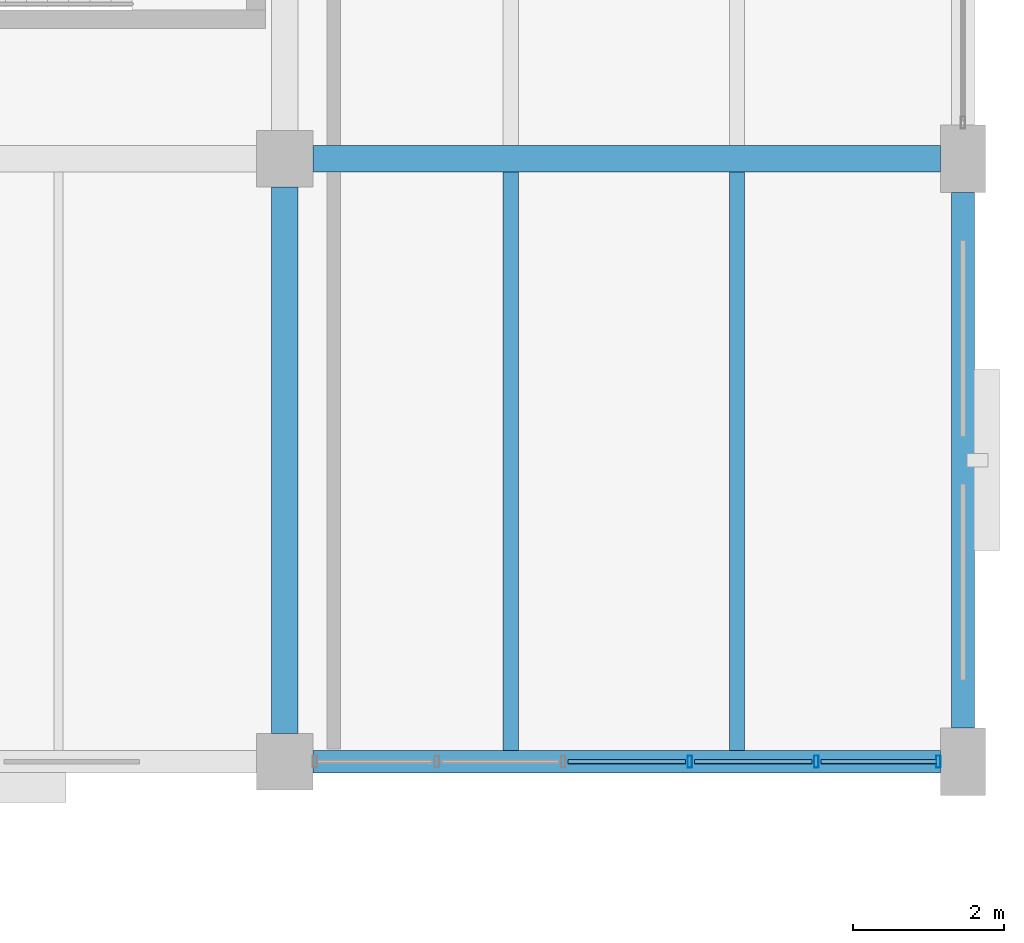
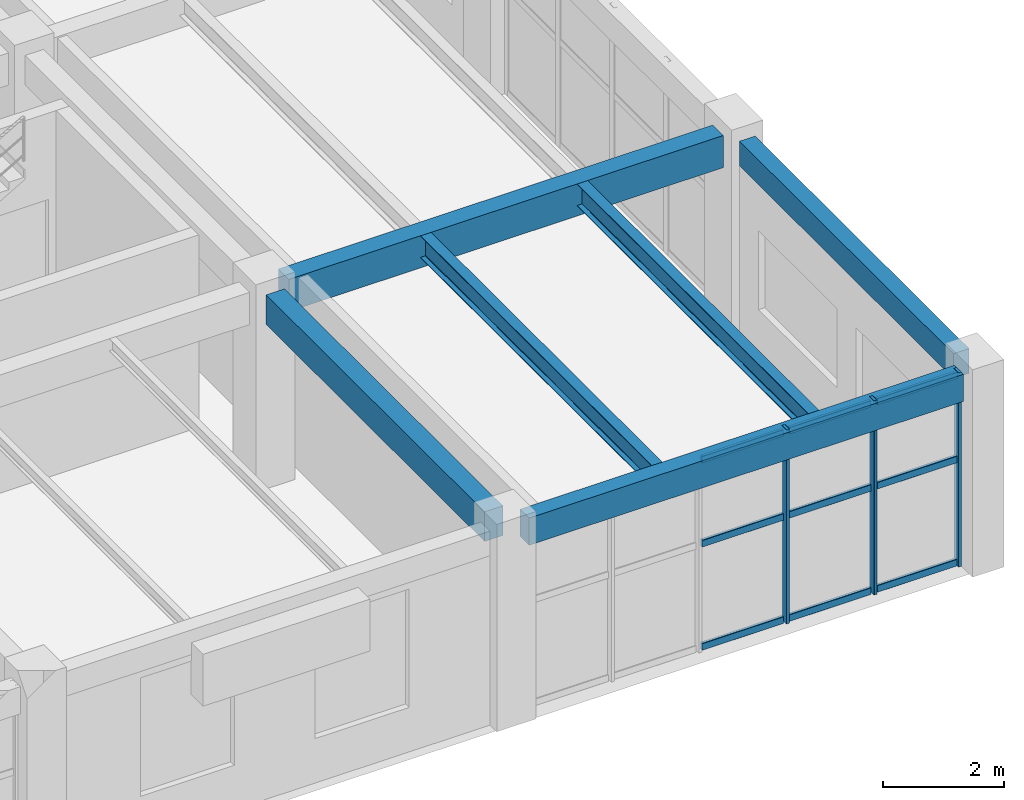
# One storey, part 74 of 128: 12 members, 6 beams, 1 element without a shape of its own.
"""IFC4 building model written with IfcOpenShell, lengths in metres."""

import ifcopenshell
import ifcopenshell.guid

model = None  # the IFC model being written
_history = None  # IfcOwnerHistory: only IFC2X3 demands one
_inside = {}  # id of a spatial element -> (the spatial element, [elements in it])
_under = {}  # id of a project, library or spatial element -> (it, [spatial elements below it])
_declared = {}  # id of a project -> (the project, [libraries it declares])
_typed = {}  # id of a type object -> (the type object, [elements of that type])
_made_of = {}  # id of a material, layer set ... -> (it, [elements and type objects made of it])


def new_model(schema):
    """Start an empty IFC model of exactly this schema.

    Asked for "IFC4X3", IfcOpenShell would pick the latest addendum, in which some entities
    have other attributes; the version numbers below select the first issue.
    IFC2X3 requires an IfcOwnerHistory on every rooted entity: one is made here for all.
    """
    global model, _history
    if schema == "IFC4X3":
        model = ifcopenshell.file(schema_version=(4, 3, 0, 0))
    else:
        model = ifcopenshell.file(schema=schema)
    _inside.clear()
    _under.clear()
    _declared.clear()
    _typed.clear()
    _made_of.clear()
    _history = None
    if model.schema == "IFC2X3":
        org = make("IfcOrganization", Name="unknown")
        user = make(
            "IfcPersonAndOrganization",
            ThePerson=make("IfcPerson", FamilyName="unknown"),
            TheOrganization=org,
        )
        app = make(
            "IfcApplication",
            ApplicationDeveloper=org,
            Version="unknown",
            ApplicationFullName="unknown",
            ApplicationIdentifier="unknown",
        )
        _history = make(
            "IfcOwnerHistory",
            OwningUser=user,
            OwningApplication=app,
            ChangeAction="ADDED",
            CreationDate=0,
        )
    return model


def make(cls, **values):
    """One entity of the class cls with the attributes given. An attribute that is None is left unset."""
    return model.create_entity(
        cls, **{name: value for name, value in values.items() if value is not None}
    )


def rooted(cls, **values):
    """An entity with a GlobalId (a new one), such as an element, a storey or a relation."""
    return make(cls, GlobalId=ifcopenshell.guid.new(), OwnerHistory=_history, **values)


def si_unit(unit_type, name, prefix=None):
    """IfcSIUnit, for example si_unit("LENGTHUNIT", "METRE", prefix="MILLI")."""
    return make("IfcSIUnit", UnitType=unit_type, Prefix=prefix, Name=name)


def derived_unit(unit_type, elements):
    """IfcDerivedUnit: a product of units, each with its exponent."""
    return make(
        "IfcDerivedUnit",
        Elements=[
            make("IfcDerivedUnitElement", Unit=unit, Exponent=power)
            for unit, power in elements
        ],
        UnitType=unit_type,
    )


def assignment(units):
    """IfcUnitAssignment: the units of a project."""
    return None if units is None else make("IfcUnitAssignment", Units=units)


def point(xyz):
    """IfcCartesianPoint."""
    return None if xyz is None else make("IfcCartesianPoint", Coordinates=xyz)


def direction(xyz):
    """IfcDirection."""
    return None if xyz is None else make("IfcDirection", DirectionRatios=xyz)


def frame(location, z_axis=None, x_axis=None):
    """IfcAxis2Placement3D, a coordinate frame: its origin and axes. An axis left out is left unset."""
    return make(
        "IfcAxis2Placement3D",
        Location=point(location),
        Axis=direction(z_axis),
        RefDirection=direction(x_axis),
    )


def frame_2d(location, x_axis=None):
    """IfcAxis2Placement2D, a coordinate frame in the plane: its origin and x axis."""
    return make(
        "IfcAxis2Placement2D", Location=point(location), RefDirection=direction(x_axis)
    )


def origin():
    """The frame at (0, 0, 0) with its axes left unset."""
    return frame((0.0, 0.0, 0.0))


def origin_2d():
    """The frame at (0, 0) in the plane with its x axis left unset."""
    return frame_2d((0.0, 0.0))


def place(relative_to, where):
    """IfcLocalPlacement: puts the frame where relative to a parent placement (None: the world)."""
    return make(
        "IfcLocalPlacement", PlacementRelTo=relative_to, RelativePlacement=where
    )


def context(
    kind, dimensions, precision=None, world=None, true_north=None, identifier=None
):
    """IfcGeometricRepresentationContext, for example the 3D "Model" context."""
    return make(
        "IfcGeometricRepresentationContext",
        ContextIdentifier=identifier,
        ContextType=kind,
        CoordinateSpaceDimension=dimensions,
        Precision=precision,
        WorldCoordinateSystem=world,
        TrueNorth=true_north,
    )


def subcontext(parent, identifier, kind, view, scale=None):
    """IfcGeometricRepresentationSubContext, for example "Body" below "Model"."""
    return make(
        "IfcGeometricRepresentationSubContext",
        ContextIdentifier=identifier,
        ContextType=kind,
        ParentContext=parent,
        TargetScale=scale,
        TargetView=view,
    )


def project(units=None, contexts=None):
    """IfcProject with its units and contexts."""
    return rooted(
        "IfcProject",
        Name="project",
        RepresentationContexts=contexts,
        UnitsInContext=assignment(units),
    )


def spatial(cls, under=None, at=None, **own):
    """A site, building, storey or space (cls), placed at a placement, below another one or the project."""
    s = rooted(cls, ObjectPlacement=at, **own)
    if under is not None:
        _under.setdefault(under.id(), (under, []))[1].append(s)
    return s


def profile(cls, at=None, kind="AREA", **sizes):
    """A parametric profile (cls). Its sizes go by their IFC names, for example OverallWidth=200.0."""
    return make(cls, ProfileType=kind, Position=at, **sizes)


def rectangle(**sizes):
    """IfcRectangleProfileDef."""
    return profile("IfcRectangleProfileDef", **sizes)


def hollow_rectangle(**sizes):
    """IfcRectangleHollowProfileDef."""
    return profile("IfcRectangleHollowProfileDef", **sizes)


def i_section(**sizes):
    """IfcIShapeProfileDef."""
    return profile("IfcIShapeProfileDef", **sizes)


def extrude(swept, where, along, depth):
    """IfcExtrudedAreaSolid: the profile swept, set in the frame where, extruded along a direction by depth."""
    return make(
        "IfcExtrudedAreaSolid",
        SweptArea=swept,
        Position=where,
        ExtrudedDirection=direction(along),
        Depth=depth,
    )


def shape(context_of_items, identifier, shape_type, items):
    """IfcShapeRepresentation: the items that make up one representation, for example the "Body"."""
    return make(
        "IfcShapeRepresentation",
        ContextOfItems=context_of_items,
        RepresentationIdentifier=identifier,
        RepresentationType=shape_type,
        Items=items,
    )


def material(Name=None, Category=None):
    """IfcMaterial."""
    return make("IfcMaterial", Name=Name, Category=Category)


def material_profile(
    of_material, cross_section, Name=None, Category=None, Priority=None
):
    """IfcMaterialProfile: a cross section and its material."""
    return make(
        "IfcMaterialProfile",
        Name=Name,
        Material=of_material,
        Profile=cross_section,
        Priority=Priority,
        Category=Category,
    )


def profile_set(profiles, Name=None, composite=None):
    """IfcMaterialProfileSet."""
    return make(
        "IfcMaterialProfileSet",
        Name=Name,
        MaterialProfiles=profiles,
        CompositeProfile=composite,
    )


def made_of(thing, what):
    """Note that an element or type object is made of a material, layer set ...; save() writes the relation."""
    if what is not None:
        _made_of.setdefault(what.id(), (what, []))[1].append(thing)
    return thing


def type_object(cls, material=None, **own):
    """A type object (cls), such as IfcWallType, which elements share."""
    return made_of(rooted(cls, **own), material)


def element(
    cls,
    number,
    at=None,
    inside=None,
    cuts=None,
    type_object=None,
    material=None,
    context=None,
    identifier="Body",
    shape_type=None,
    held_by="IfcProductDefinitionShape",
    body=None,
    shapes=None,
    **own,
):
    """One element of the class cls, such as IfcWall. Its Tag is "e" and its number.

    at: its placement. inside: the storey or other place that contains it. cuts: it is an
    opening in that element (IfcRelVoidsElement). A single representation is given by context,
    identifier, shape_type and body (its items); several are given by shapes. held_by: the class
    of the entity that holds the representations. save() writes the other relations.
    """
    e = rooted(cls, Tag="e%d" % number, ObjectPlacement=at, **own)
    if body is not None:
        shapes = [shape(context, identifier, shape_type, body)]
    if shapes is not None:
        e.Representation = make(held_by, Representations=shapes)
    if inside is not None:
        _inside.setdefault(inside.id(), (inside, []))[1].append(e)
    if cuts is not None:
        rooted(
            "IfcRelVoidsElement", RelatingBuildingElement=cuts, RelatedOpeningElement=e
        )
    if type_object is not None:
        _typed.setdefault(type_object.id(), (type_object, []))[1].append(e)
    return made_of(e, material)


def aggregate(whole, parts):
    """IfcRelAggregates: a whole, such as a stair, and the parts it consists of."""
    return rooted("IfcRelAggregates", RelatingObject=whole, RelatedObjects=parts)


def save(model, path):
    """Write the relations noted so far, then the file.

    IfcRelAggregates (storeys below a building ...), IfcRelContainedInSpatialStructure (elements
    in a storey), IfcRelDefinesByType, IfcRelAssociatesMaterial and IfcRelDeclares: one each for
    every whole, place, type object, material and project.
    """
    for whole, parts in _under.values():
        aggregate(whole, parts)
    for where, things in _inside.values():
        rooted(
            "IfcRelContainedInSpatialStructure",
            RelatedElements=things,
            RelatingStructure=where,
        )
    for kind, things in _typed.values():
        rooted("IfcRelDefinesByType", RelatedObjects=things, RelatingType=kind)
    for what, things in _made_of.values():
        rooted("IfcRelAssociatesMaterial", RelatedObjects=things, RelatingMaterial=what)
    for by, libraries in _declared.values():
        rooted("IfcRelDeclares", RelatingContext=by, RelatedDefinitions=libraries)
    model.write(path)


model = new_model("IFC4")

# Units and contexts
model_context = context("Model", 3, precision=1e-05, world=origin(), true_north=direction((0.0, 1.0)))
body_context = subcontext(model_context, "Body", "Model", "MODEL_VIEW")
ifc_project = project(units=[si_unit("LENGTHUNIT", "METRE"), si_unit("AREAUNIT", "SQUARE_METRE"), si_unit("VOLUMEUNIT", "CUBIC_METRE"), si_unit("PLANEANGLEUNIT", "RADIAN"), si_unit("MASSUNIT", "GRAM", prefix="KILO"), derived_unit("THERMALTRANSMITTANCEUNIT", [(si_unit("MASSUNIT", "GRAM", prefix="KILO"), 1), (si_unit("TIMEUNIT", "SECOND"), -3), (si_unit("THERMODYNAMICTEMPERATUREUNIT", "KELVIN"), -1)])], contexts=[model_context])

# Site, building, storey
site_placement = place(None, origin())
site = spatial("IfcSite", under=ifc_project, at=site_placement, CompositionType="ELEMENT")
building_placement = place(site_placement, origin())
building = spatial("IfcBuilding", under=site, at=building_placement, Name="Zhenchuan Archway Interchange", CompositionType="ELEMENT")
storey_placement = place(building_placement, frame((0.0, 0.0, 14.39990234375)))
storey = spatial("IfcBuildingStorey", under=building, at=storey_placement, Name="L03", CompositionType="ELEMENT", Elevation=14.39990234375)

# Beams
ifc_material_1 = material(Name="Concrete C40", Category="concrete")
ifc_material_profile_1 = material_profile(ifc_material_1, rectangle(XDim=0.35009765625, YDim=0.60009765625, at=origin_2d()), Name="RC 350x600")
ifc_profile_set_1 = profile_set([ifc_material_profile_1], Name="Concrete C40")
beam_type_1 = type_object("IfcBeamType", Name="BM_RC_350x600", PredefinedType="BEAM", material=ifc_profile_set_1)
beam_1_placement = place(storey_placement, frame((162.0, 8.375, 3.630126953125), z_axis=(0.0, 1.0, 0.0), x_axis=(-1.0, 0.0, 0.0)))
element("IfcBeam", 1, at=beam_1_placement, inside=storey, type_object=beam_type_1, Name="Beam 19:B-C (L03)", PredefinedType="BEAM", context=body_context, shape_type="SweptSolid", body=[
    extrude(rectangle(XDim=0.35009765625, YDim=0.60009765625, at=origin_2d()), origin(), (0.0, 0.0, 1.0), 7.25),
])
ifc_material_profile_2 = material_profile(ifc_material_1, rectangle(XDim=0.35009765625, YDim=0.64990234375, at=origin_2d()), Name="RC 350x650")
ifc_profile_set_2 = profile_set([ifc_material_profile_2], Name="Concrete C40")
beam_type_2 = type_object("IfcBeamType", Name="BM_RC_350x650", PredefinedType="BEAM", material=ifc_profile_set_2)
beam_2_placement = place(storey_placement, frame((162.375, 16.0, 3.60498046875), z_axis=(1.0, 0.0, 0.0), x_axis=(0.0, 1.0, 0.0)))
element("IfcBeam", 2, at=beam_2_placement, inside=storey, type_object=beam_type_2, Name="Beam C:19-20 (L03)", PredefinedType="BEAM", context=body_context, shape_type="SweptSolid", body=[
    extrude(rectangle(XDim=0.35009765625, YDim=0.64990234375, at=origin_2d()), origin(), (0.0, 0.0, 1.0), 8.324951171875),
])

# Curtain wall, members
ifc_material_2 = material(Name="Anodised Aluminium", Category="aluminium")
curtain_wall_type = type_object("IfcCurtainWallType", Name="CW_UNIT_4", PredefinedType="NOTDEFINED", material=ifc_material_2)
curtain_wall_placement = place(storey_placement, origin())
curtain_wall = element("IfcCurtainWall", 3, at=curtain_wall_placement, inside=storey, type_object=curtain_wall_type, Name="Unitised curtain wall CW:L03:183", PredefinedType="NOTDEFINED")
ifc_material_profile_3 = material_profile(ifc_material_2, hollow_rectangle(XDim=0.06005859375, YDim=0.159912109375, WallThickness=0.00390625, InnerFilletRadius=0.00390625, OuterFilletRadius=0.008056640625, at=origin_2d()), Name="ALU 160x60x4")
ifc_profile_set_3 = profile_set([ifc_material_profile_3], Name="Anodised Aluminium")
member_type_1 = type_object("IfcMemberType", Name="CW_MUL_150", PredefinedType="MULLION", material=ifc_profile_set_3)
member_1_placement = place(storey_placement, frame((170.672119140625, 8.0, 0.0), z_axis=(0.0, 0.0, 1.0), x_axis=(1.0, 0.0, 0.0)))
member_1 = element("IfcMember", 4, at=member_1_placement, type_object=member_type_1, Name="CW:L03:183 mullion 0", PredefinedType="MULLION", context=body_context, shape_type="SweptSolid", body=[
    extrude(hollow_rectangle(XDim=0.06005859375, YDim=0.159912109375, WallThickness=0.00390625, InnerFilletRadius=0.00390625, OuterFilletRadius=0.008056640625, at=origin_2d()), origin(), (0.0, 0.0, 1.0), 3.93017578125),
])
member_2_placement = place(storey_placement, frame((169.05419921875, 8.0, 0.0), z_axis=(0.0, 0.0, 1.0), x_axis=(1.0, 0.0, 0.0)))
member_2 = element("IfcMember", 5, at=member_2_placement, type_object=member_type_1, Name="CW:L03:183 mullion 1", PredefinedType="MULLION", context=body_context, shape_type="SweptSolid", body=[
    extrude(hollow_rectangle(XDim=0.06005859375, YDim=0.159912109375, WallThickness=0.00390625, InnerFilletRadius=0.00390625, OuterFilletRadius=0.008056640625, at=origin_2d()), origin(), (0.0, 0.0, 1.0), 3.93017578125),
])
member_3_placement = place(storey_placement, frame((167.37646484375, 8.0, 0.0), z_axis=(0.0, 0.0, 1.0), x_axis=(1.0, 0.0, 0.0)))
member_3 = element("IfcMember", 6, at=member_3_placement, type_object=member_type_1, Name="CW:L03:183 mullion 2", PredefinedType="MULLION", context=body_context, shape_type="SweptSolid", body=[
    extrude(hollow_rectangle(XDim=0.06005859375, YDim=0.159912109375, WallThickness=0.00390625, InnerFilletRadius=0.00390625, OuterFilletRadius=0.008056640625, at=origin_2d()), origin(), (0.0, 0.0, 1.0), 3.93017578125),
])
ifc_material_profile_4 = material_profile(ifc_material_2, hollow_rectangle(XDim=0.06005859375, YDim=0.139892578125, WallThickness=0.00341796875, InnerFilletRadius=0.00341796875, OuterFilletRadius=0.007080078125, at=origin_2d()), Name="ALU 140x60x3.5")
ifc_profile_set_4 = profile_set([ifc_material_profile_4], Name="Anodised Aluminium")
member_type_2 = type_object("IfcMemberType", Name="CW_TRN_140", PredefinedType="USERDEFINED", material=ifc_profile_set_4)
member_4_placement = place(storey_placement, frame((170.652099609375, 8.0, 0.06005859375), z_axis=(-1.0, 0.0, 0.0), x_axis=(0.0, -1.0, 0.0)))
member_4 = element("IfcMember", 7, at=member_4_placement, type_object=member_type_2, Name="CW:L03:183 transom 0-1", ObjectType="TRANSOM", PredefinedType="USERDEFINED", context=body_context, shape_type="SweptSolid", body=[
    extrude(hollow_rectangle(XDim=0.06005859375, YDim=0.139892578125, WallThickness=0.00341796875, InnerFilletRadius=0.00341796875, OuterFilletRadius=0.007080078125, at=origin_2d()), origin(), (0.0, 0.0, 1.0), 1.537841796875),
])
member_5_placement = place(storey_placement, frame((170.652099609375, 8.0, 2.150634765625), z_axis=(-1.0, 0.0, 0.0), x_axis=(0.0, -1.0, 0.0)))
member_5 = element("IfcMember", 8, at=member_5_placement, type_object=member_type_2, Name="CW:L03:183 transom 0-2", ObjectType="TRANSOM", PredefinedType="USERDEFINED", context=body_context, shape_type="SweptSolid", body=[
    extrude(hollow_rectangle(XDim=0.06005859375, YDim=0.139892578125, WallThickness=0.00341796875, InnerFilletRadius=0.00341796875, OuterFilletRadius=0.007080078125, at=origin_2d()), origin(), (0.0, 0.0, 1.0), 1.537841796875),
])
member_6_placement = place(storey_placement, frame((170.652099609375, 8.0, 3.85009765625), z_axis=(-1.0, 0.0, 0.0), x_axis=(0.0, -1.0, 0.0)))
member_6 = element("IfcMember", 9, at=member_6_placement, type_object=member_type_2, Name="CW:L03:183 transom 0-3", ObjectType="TRANSOM", PredefinedType="USERDEFINED", context=body_context, shape_type="SweptSolid", body=[
    extrude(hollow_rectangle(XDim=0.06005859375, YDim=0.139892578125, WallThickness=0.00341796875, InnerFilletRadius=0.00341796875, OuterFilletRadius=0.007080078125, at=origin_2d()), origin(), (0.0, 0.0, 1.0), 1.537841796875),
])
member_7_placement = place(storey_placement, frame((168.994140625, 8.0, 0.06005859375), z_axis=(-1.0, 0.0, 0.0), x_axis=(0.0, -1.0, 0.0)))
member_7 = element("IfcMember", 10, at=member_7_placement, type_object=member_type_2, Name="CW:L03:183 transom 1-1", ObjectType="TRANSOM", PredefinedType="USERDEFINED", context=body_context, shape_type="SweptSolid", body=[
    extrude(hollow_rectangle(XDim=0.06005859375, YDim=0.139892578125, WallThickness=0.00341796875, InnerFilletRadius=0.00341796875, OuterFilletRadius=0.007080078125, at=origin_2d()), origin(), (0.0, 0.0, 1.0), 1.557861328125),
])
member_8_placement = place(storey_placement, frame((168.994140625, 8.0, 2.150634765625), z_axis=(-1.0, 0.0, 0.0), x_axis=(0.0, -1.0, 0.0)))
member_8 = element("IfcMember", 11, at=member_8_placement, type_object=member_type_2, Name="CW:L03:183 transom 1-2", ObjectType="TRANSOM", PredefinedType="USERDEFINED", context=body_context, shape_type="SweptSolid", body=[
    extrude(hollow_rectangle(XDim=0.06005859375, YDim=0.139892578125, WallThickness=0.00341796875, InnerFilletRadius=0.00341796875, OuterFilletRadius=0.007080078125, at=origin_2d()), origin(), (0.0, 0.0, 1.0), 1.557861328125),
])
member_9_placement = place(storey_placement, frame((168.994140625, 8.0, 3.85009765625), z_axis=(-1.0, 0.0, 0.0), x_axis=(0.0, -1.0, 0.0)))
member_9 = element("IfcMember", 12, at=member_9_placement, type_object=member_type_2, Name="CW:L03:183 transom 1-3", ObjectType="TRANSOM", PredefinedType="USERDEFINED", context=body_context, shape_type="SweptSolid", body=[
    extrude(hollow_rectangle(XDim=0.06005859375, YDim=0.139892578125, WallThickness=0.00341796875, InnerFilletRadius=0.00341796875, OuterFilletRadius=0.007080078125, at=origin_2d()), origin(), (0.0, 0.0, 1.0), 1.557861328125),
])
member_10_placement = place(storey_placement, frame((167.31640625, 8.0, 0.06005859375), z_axis=(-1.0, 0.0, 0.0), x_axis=(0.0, -1.0, 0.0)))
member_10 = element("IfcMember", 13, at=member_10_placement, type_object=member_type_2, Name="CW:L03:183 transom 2-1", ObjectType="TRANSOM", PredefinedType="USERDEFINED", context=body_context, shape_type="SweptSolid", body=[
    extrude(hollow_rectangle(XDim=0.06005859375, YDim=0.139892578125, WallThickness=0.00341796875, InnerFilletRadius=0.00341796875, OuterFilletRadius=0.007080078125, at=origin_2d()), origin(), (0.0, 0.0, 1.0), 1.557861328125),
])
member_11_placement = place(storey_placement, frame((167.31640625, 8.0, 2.150634765625), z_axis=(-1.0, 0.0, 0.0), x_axis=(0.0, -1.0, 0.0)))
member_11 = element("IfcMember", 14, at=member_11_placement, type_object=member_type_2, Name="CW:L03:183 transom 2-2", ObjectType="TRANSOM", PredefinedType="USERDEFINED", context=body_context, shape_type="SweptSolid", body=[
    extrude(hollow_rectangle(XDim=0.06005859375, YDim=0.139892578125, WallThickness=0.00341796875, InnerFilletRadius=0.00341796875, OuterFilletRadius=0.007080078125, at=origin_2d()), origin(), (0.0, 0.0, 1.0), 1.557861328125),
])
member_12_placement = place(storey_placement, frame((167.31640625, 8.0, 3.85009765625), z_axis=(-1.0, 0.0, 0.0), x_axis=(0.0, -1.0, 0.0)))
member_12 = element("IfcMember", 15, at=member_12_placement, type_object=member_type_2, Name="CW:L03:183 transom 2-3", ObjectType="TRANSOM", PredefinedType="USERDEFINED", context=body_context, shape_type="SweptSolid", body=[
    extrude(hollow_rectangle(XDim=0.06005859375, YDim=0.139892578125, WallThickness=0.00341796875, InnerFilletRadius=0.00341796875, OuterFilletRadius=0.007080078125, at=origin_2d()), origin(), (0.0, 0.0, 1.0), 1.557861328125),
])
aggregate(curtain_wall, [member_1, member_2, member_3, member_4, member_5, member_6, member_7, member_8, member_9, member_10, member_11, member_12])

# Beams
ifc_material_3 = material(Name="Steel Q355", Category="steel")
ifc_material_profile_5 = material_profile(ifc_material_3, i_section(OverallWidth=0.199951171875, OverallDepth=0.449951171875, WebThickness=0.009033203125, FlangeThickness=0.013916015625, FilletRadius=0.01806640625, at=origin_2d()), Name="HN 450x200")
ifc_profile_set_5 = profile_set([ifc_material_profile_5], Name="Steel Q355")
beam_type_3 = type_object("IfcBeamType", Name="JST_STL_HN450", PredefinedType="JOIST", material=ifc_profile_set_5)
for number, where, z_axis, x_axis, name in (
    (16, (165.0, 8.14990234375, 3.705078125), (0.0, 1.0, 0.0), (-1.0, 0.0, 0.0), "Secondary joist 19-20/B-C #1 (L03)"),
    (17, (168.0, 8.14990234375, 3.705078125), (0.0, 1.0, 0.0), (-1.0, 0.0, 0.0), "Secondary joist 19-20/B-C #2 (L03)"),
):
    element("IfcBeam", number, at=place(storey_placement, frame(where, z_axis=z_axis, x_axis=x_axis)), inside=storey, type_object=beam_type_3, Name=name, PredefinedType="JOIST", context=body_context, shape_type="SweptSolid", body=[
        extrude(i_section(OverallWidth=0.199951171875, OverallDepth=0.449951171875, WebThickness=0.009033203125, FlangeThickness=0.013916015625, FilletRadius=0.01806640625, at=origin_2d()), origin(), (0.0, 0.0, 1.0), 7.675048828125),
    ])
ifc_material_profile_6 = material_profile(ifc_material_1, rectangle(XDim=0.300048828125, YDim=0.5, at=origin_2d()), Name="RC 300x500")
ifc_profile_set_6 = profile_set([ifc_material_profile_6], Name="Concrete C40")
beam_type_4 = type_object("IfcBeamType", Name="SP_RC_300x500", PredefinedType="SPANDREL", material=ifc_profile_set_6)
beam_3_placement = place(storey_placement, frame((171.0, 8.449951171875, 3.68017578125), z_axis=(0.0, 1.0, 0.0), x_axis=(-1.0, 0.0, 0.0)))
element("IfcBeam", 18, at=beam_3_placement, inside=storey, type_object=beam_type_4, Name="Beam 20:B-C (L03)", PredefinedType="SPANDREL", context=body_context, shape_type="SweptSolid", body=[
    extrude(rectangle(XDim=0.300048828125, YDim=0.5, at=origin_2d()), origin(), (0.0, 0.0, 1.0), 7.10009765625),
])
ifc_material_profile_7 = material_profile(ifc_material_1, rectangle(XDim=0.300048828125, YDim=0.550048828125, at=origin_2d()), Name="RC 300x550")
ifc_profile_set_7 = profile_set([ifc_material_profile_7], Name="Concrete C40")
beam_type_5 = type_object("IfcBeamType", Name="SP_RC_300x550", PredefinedType="SPANDREL", material=ifc_profile_set_7)
beam_4_placement = place(storey_placement, frame((162.375, 8.0, 3.655029296875), z_axis=(1.0, 0.0, 0.0), x_axis=(0.0, 1.0, 0.0)))
element("IfcBeam", 19, at=beam_4_placement, inside=storey, type_object=beam_type_5, Name="Beam B:19-20 (L03)", PredefinedType="SPANDREL", context=body_context, shape_type="SweptSolid", body=[
    extrude(rectangle(XDim=0.300048828125, YDim=0.550048828125, at=origin_2d()), origin(), (0.0, 0.0, 1.0), 8.324951171875),
])

save(model, "model.ifc")
